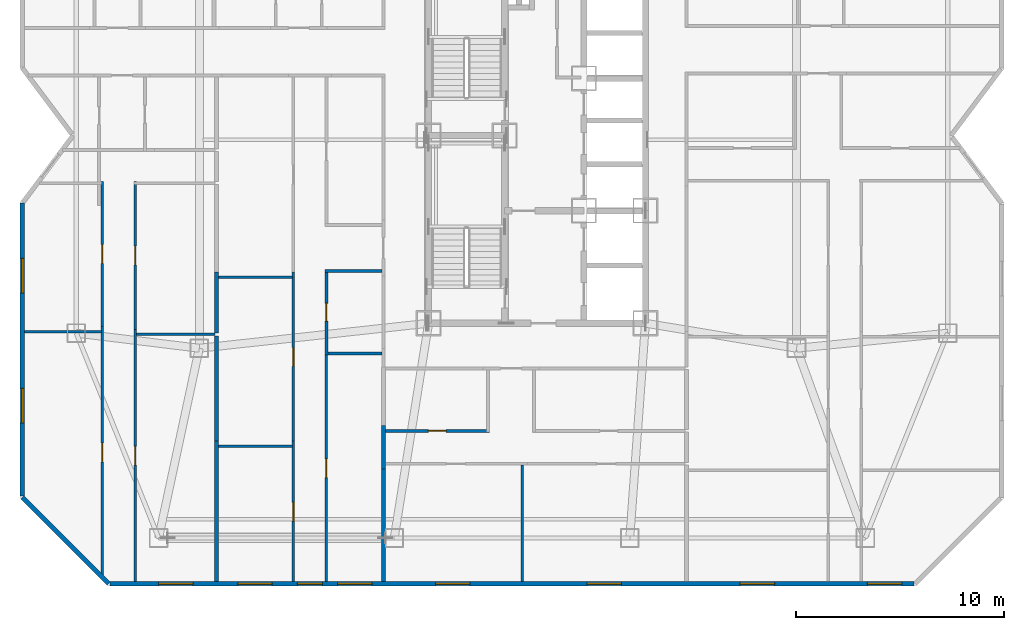
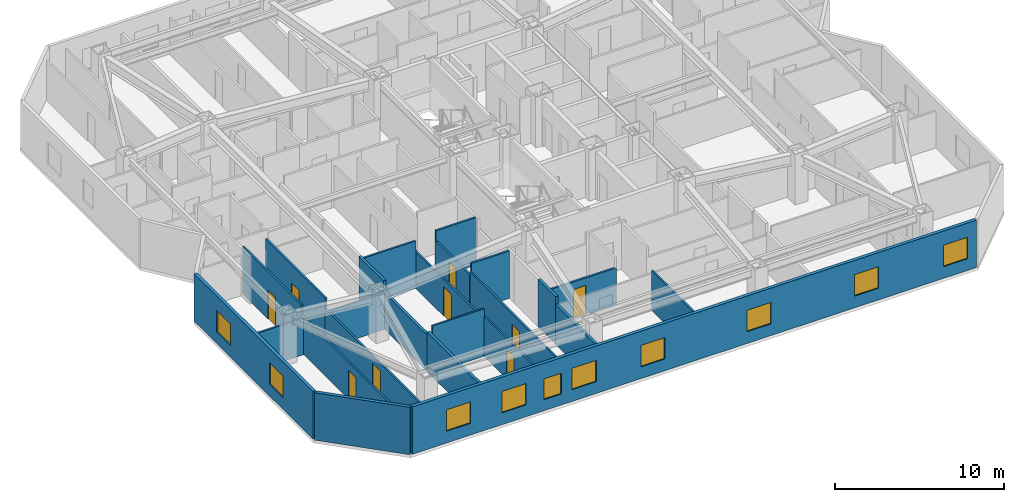
# One storey, part 5 of 12: 24 walls, 10 windows, 9 doors, 19 openings.
"""IFC4 building model written with IfcOpenShell, lengths in metres."""

from ifc_helpers import new_model, si_unit, direction, frame, frame_2d, origin, place, context, subcontext, project, spatial, rectangle, extrude, material, layer, layer_set, type_object, element, fill, save


model = new_model("IFC4")

# Units and contexts
model_context = context("Model", 3, precision=1e-05, world=origin(), true_north=direction((0.0, 1.0)))
body_context = subcontext(model_context, "Body", "Model", "MODEL_VIEW")
ifc_project = project(units=[si_unit("LENGTHUNIT", "METRE"), si_unit("AREAUNIT", "SQUARE_METRE"), si_unit("VOLUMEUNIT", "CUBIC_METRE"), si_unit("PLANEANGLEUNIT", "RADIAN"), si_unit("MASSUNIT", "GRAM", prefix="KILO")], contexts=[model_context])

# Site, building, storey
site_placement = place(None, origin())
site = spatial("IfcSite", under=ifc_project, at=site_placement, CompositionType="ELEMENT")
building_placement = place(site_placement, origin())
building = spatial("IfcBuilding", under=site, at=building_placement, Name="Khamvora Tower", CompositionType="ELEMENT")
storey_placement = place(building_placement, frame((0.0, 0.0, 138.39990234375)))
storey = spatial("IfcBuildingStorey", under=building, at=storey_placement, Name="L35", CompositionType="ELEMENT", Elevation=138.39990234375)

# Walls
ifc_material_1 = material(Name="Acoustic Double-Stud Fire Wall", Category="gypsum")
ifc_layer_1 = layer(ifc_material_1, 0.179931640625)
ifc_layer_set_1 = layer_set([ifc_layer_1], Name="Acoustic Double-Stud Fire Wall")
wall_type_1 = type_object("IfcWallType", Name="WAL-CORR-180", PredefinedType="STANDARD", material=ifc_layer_set_1)
wall_1_placement = place(storey_placement, frame((18.830078125, 13.346923828125, 0.0), z_axis=(0.0, 0.0, 1.0), x_axis=(0.0, -1.0, 0.0)))
element("IfcWall", 1, at=wall_1_placement, inside=storey, type_object=wall_type_1, Name="L35 interior partition wall 056", PredefinedType="STANDARD", context=body_context, shape_type="SweptSolid", body=[
    extrude(rectangle(XDim=6.73486328125, YDim=0.179931640625, at=frame_2d((3.367431640625, 0.0))), origin(), (0.0, 0.0, 1.0), 2.8759765625),
])
wall_2_placement = place(storey_placement, frame((18.830078125, 18.39599609375, 0.0), z_axis=(0.0, 0.0, 1.0), x_axis=(0.0, -1.0, 0.0)))
element("IfcWall", 2, at=wall_2_placement, inside=storey, type_object=wall_type_1, Name="L35 interior partition wall 057", PredefinedType="STANDARD", context=body_context, shape_type="SweptSolid", body=[
    extrude(rectangle(XDim=5.049072265625, YDim=0.179931640625, at=frame_2d((2.5244140625, 0.0))), origin(), (0.0, 0.0, 1.0), 2.647216796875),
])
wall_3_placement = place(storey_placement, frame((18.830078125, 21.450927734375, 0.0), z_axis=(0.0, 0.0, 1.0), x_axis=(0.0, -1.0, 0.0)))
element("IfcWall", 3, at=wall_3_placement, inside=storey, type_object=wall_type_1, Name="L35 interior partition wall 058", PredefinedType="STANDARD", context=body_context, shape_type="SweptSolid", body=[
    extrude(rectangle(XDim=2.925048828125, YDim=0.179931640625, at=frame_2d((1.46240234375, 0.0))), origin(), (0.0, 0.0, 1.0), 3.43017578125),
])
wall_4_placement = place(storey_placement, frame((26.8349609375, 14.0869140625, 0.0), z_axis=(0.0, 0.0, 1.0), x_axis=(0.0, -1.0, 0.0)))
element("IfcWall", 4, at=wall_4_placement, inside=storey, type_object=wall_type_1, Name="L35 interior partition wall 062", PredefinedType="STANDARD", context=body_context, shape_type="SweptSolid", body=[
    extrude(rectangle(XDim=2.077880859375, YDim=0.179931640625, at=frame_2d((1.0390625, 0.0))), origin(), (0.0, 0.0, 1.0), 3.43017578125),
])
wall_5_placement = place(storey_placement, frame((26.8349609375, 12.009033203125, 0.0), z_axis=(0.0, 0.0, 1.0), x_axis=(0.0, -1.0, 0.0)))
element("IfcWall", 5, at=wall_5_placement, inside=storey, type_object=wall_type_1, Name="L35 interior partition wall 064", PredefinedType="STANDARD", context=body_context, shape_type="SweptSolid", body=[
    extrude(rectangle(XDim=5.39697265625, YDim=0.179931640625, at=frame_2d((2.698486328125, 0.0))), origin(), (0.0, 0.0, 1.0), 2.8759765625),
])
ifc_material_2 = material(Name="Precast concrete C40/50", Category="concrete")
ifc_layer_2 = layer(ifc_material_2, 0.219970703125)
ifc_layer_set_2 = layer_set([ifc_layer_2], Name="Precast concrete C40/50")
wall_type_2 = type_object("IfcWallType", Name="WAL-EXT-220", PredefinedType="STANDARD", material=ifc_layer_set_2)
wall_6_placement = place(storey_placement, frame((13.64599609375, 6.510009765625, 0.0), z_axis=(0.0, 0.0, 1.0), x_axis=(-0.707106781187, 0.707106781187, 0.0)))
element("IfcWall", 6, at=wall_6_placement, inside=storey, type_object=wall_type_2, Name="L35 exterior facade wall 01.1", PredefinedType="STANDARD", context=body_context, shape_type="SweptSolid", body=[
    extrude(rectangle(XDim=5.84912109375, YDim=0.219970703125, at=frame_2d((2.924560546875, 0.0))), origin(), (0.0, 0.0, 1.0), 3.43017578125),
])

# Wall, openings, windows
wall_7_placement = place(storey_placement, frame((9.510009765625, 10.717041015625, 0.0), z_axis=(0.0, 0.0, 1.0), x_axis=(0.0, 1.0, 0.0)))
wall_7 = element("IfcWall", 7, at=wall_7_placement, inside=storey, type_object=wall_type_2, Name="L35 exterior facade wall 02.1", PredefinedType="STANDARD", context=body_context, shape_type="SweptSolid", body=[
    extrude(rectangle(XDim=14.0458984375, YDim=0.219970703125, at=frame_2d((7.02294921875, 0.0))), origin(), (0.0, 0.0, 1.0), 3.43017578125),
])
opening_1_placement = place(wall_7_placement, frame((3.507080078125, 0.0, 0.85009765625)))
opening_1 = element("IfcOpeningElement", 8, at=opening_1_placement, cuts=wall_7, Name="Opening WN-06", PredefinedType="OPENING", context=body_context, shape_type="SweptSolid", body=[
    extrude(rectangle(XDim=1.64990234375, YDim=1.550048828125, at=frame_2d((0.824951171875, 0.77490234375))), frame((0.0, 0.119873046875, 0.0), z_axis=(0.0, -1.0, 0.0), x_axis=(1.0, 0.0, 0.0)), (0.0, 0.0, 1.0), 0.239990234375),
])
opening_2_placement = place(wall_7_placement, frame((9.7451171875, 0.0, 0.85009765625)))
opening_2 = element("IfcOpeningElement", 9, at=opening_2_placement, cuts=wall_7, Name="Opening WN-06", PredefinedType="OPENING", context=body_context, shape_type="SweptSolid", body=[
    extrude(rectangle(XDim=1.64990234375, YDim=1.550048828125, at=frame_2d((0.824951171875, 0.77490234375))), frame((0.0, 0.119873046875, 0.0), z_axis=(0.0, -1.0, 0.0), x_axis=(1.0, 0.0, 0.0)), (0.0, 0.0, 1.0), 0.239990234375),
])
ifc_material_3 = material(Name="Low-E Laminated Double Glazing", Category="glass")
window_type_1 = type_object("IfcWindowType", Name="WIN-VIS-1650x1550", PartitioningType="SINGLE_PANEL", PredefinedType="WINDOW", material=ifc_material_3)
window_1_placement = place(opening_1_placement, origin())
window_1 = element("IfcWindow", 10, at=window_1_placement, inside=storey, type_object=window_type_1, Name="L35 vision window 02.1.01", OverallHeight=1.550048828125, OverallWidth=1.64990234375, PartitioningType="SINGLE_PANEL", PredefinedType="WINDOW", context=body_context, shape_type="SweptSolid", body=[
    extrude(rectangle(XDim=1.64990234375, YDim=1.550048828125, at=frame_2d((0.824951171875, 0.77490234375))), frame((0.0, 0.030029296875, 0.0), z_axis=(0.0, -1.0, 0.0), x_axis=(1.0, 0.0, 0.0)), (0.0, 0.0, 1.0), 0.06005859375),
])
fill(opening_1, window_1)
window_2_placement = place(opening_2_placement, origin())
window_2 = element("IfcWindow", 11, at=window_2_placement, inside=storey, type_object=window_type_1, Name="L35 vision window 02.1.02", OverallHeight=1.550048828125, OverallWidth=1.64990234375, PartitioningType="SINGLE_PANEL", PredefinedType="WINDOW", context=body_context, shape_type="SweptSolid", body=[
    extrude(rectangle(XDim=1.64990234375, YDim=1.550048828125, at=frame_2d((0.824951171875, 0.77490234375))), frame((0.0, 0.030029296875, 0.0), z_axis=(0.0, -1.0, 0.0), x_axis=(1.0, 0.0, 0.0)), (0.0, 0.0, 1.0), 0.06005859375),
])
fill(opening_2, window_2)

wall_8_placement = place(storey_placement, frame((52.282958984375, 6.510009765625, 0.0), z_axis=(0.0, 0.0, 1.0), x_axis=(-1.0, 0.0, 0.0)))
wall_8 = element("IfcWall", 12, at=wall_8_placement, inside=storey, type_object=wall_type_2, Name="L35 exterior facade wall 14.1", PredefinedType="STANDARD", context=body_context, shape_type="SweptSolid", body=[
    extrude(rectangle(XDim=38.56787109375, YDim=0.219970703125, at=frame_2d((19.283935546875, 0.0))), origin(), (0.0, 0.0, 1.0), 3.43017578125),
])
opening_3_placement = place(wall_8_placement, frame((34.5810546875, 0.0, 0.85009765625)))
opening_3 = element("IfcOpeningElement", 13, at=opening_3_placement, cuts=wall_8, Name="Opening WN-06", PredefinedType="OPENING", context=body_context, shape_type="SweptSolid", body=[
    extrude(rectangle(XDim=1.64990234375, YDim=1.550048828125, at=frame_2d((0.824951171875, 0.77490234375))), frame((0.0, 0.119873046875, 0.0), z_axis=(0.0, -1.0, 0.0), x_axis=(1.0, 0.0, 0.0)), (0.0, 0.0, 1.0), 0.239990234375),
])
opening_4_placement = place(wall_8_placement, frame((25.991943359375, 0.0, 0.85009765625)))
opening_4 = element("IfcOpeningElement", 14, at=opening_4_placement, cuts=wall_8, Name="Opening WN-06", PredefinedType="OPENING", context=body_context, shape_type="SweptSolid", body=[
    extrude(rectangle(XDim=1.64990234375, YDim=1.550048828125, at=frame_2d((0.824951171875, 0.77490234375))), frame((0.0, 0.119873046875, 0.0), z_axis=(0.0, -1.0, 0.0), x_axis=(1.0, 0.0, 0.0)), (0.0, 0.0, 1.0), 0.239990234375),
])
opening_5_placement = place(wall_8_placement, frame((28.375, 0.0, 0.800048828125)))
opening_5 = element("IfcOpeningElement", 15, at=opening_5_placement, cuts=wall_8, Name="Opening WN-03", PredefinedType="OPENING", context=body_context, shape_type="SweptSolid", body=[
    extrude(rectangle(XDim=1.199951171875, YDim=1.5, at=frame_2d((0.60009765625, 0.75))), frame((0.0, 0.119873046875, 0.0), z_axis=(0.0, -1.0, 0.0), x_axis=(1.0, 0.0, 0.0)), (0.0, 0.0, 1.0), 0.239990234375),
])
opening_6_placement = place(wall_8_placement, frame((30.783935546875, 0.0, 0.85009765625)))
opening_6 = element("IfcOpeningElement", 16, at=opening_6_placement, cuts=wall_8, Name="Opening WN-06", PredefinedType="OPENING", context=body_context, shape_type="SweptSolid", body=[
    extrude(rectangle(XDim=1.64990234375, YDim=1.550048828125, at=frame_2d((0.824951171875, 0.77490234375))), frame((0.0, 0.119873046875, 0.0), z_axis=(0.0, -1.0, 0.0), x_axis=(1.0, 0.0, 0.0)), (0.0, 0.0, 1.0), 0.239990234375),
])
opening_7_placement = place(wall_8_placement, frame((21.298095703125, 0.0, 0.85009765625)))
opening_7 = element("IfcOpeningElement", 17, at=opening_7_placement, cuts=wall_8, Name="Opening WN-06", PredefinedType="OPENING", context=body_context, shape_type="SweptSolid", body=[
    extrude(rectangle(XDim=1.64990234375, YDim=1.550048828125, at=frame_2d((0.824951171875, 0.77490234375))), frame((0.0, 0.119873046875, 0.0), z_axis=(0.0, -1.0, 0.0), x_axis=(1.0, 0.0, 0.0)), (0.0, 0.0, 1.0), 0.239990234375),
])
opening_8_placement = place(wall_8_placement, frame((14.032958984375, 0.0, 0.85009765625)))
opening_8 = element("IfcOpeningElement", 18, at=opening_8_placement, cuts=wall_8, Name="Opening WN-06", PredefinedType="OPENING", context=body_context, shape_type="SweptSolid", body=[
    extrude(rectangle(XDim=1.64990234375, YDim=1.550048828125, at=frame_2d((0.824951171875, 0.77490234375))), frame((0.0, 0.119873046875, 0.0), z_axis=(0.0, -1.0, 0.0), x_axis=(1.0, 0.0, 0.0)), (0.0, 0.0, 1.0), 0.239990234375),
])
opening_9_placement = place(wall_8_placement, frame((6.68798828125, 0.0, 0.85009765625)))
opening_9 = element("IfcOpeningElement", 19, at=opening_9_placement, cuts=wall_8, Name="Opening WN-06", PredefinedType="OPENING", context=body_context, shape_type="SweptSolid", body=[
    extrude(rectangle(XDim=1.64990234375, YDim=1.550048828125, at=frame_2d((0.824951171875, 0.77490234375))), frame((0.0, 0.119873046875, 0.0), z_axis=(0.0, -1.0, 0.0), x_axis=(1.0, 0.0, 0.0)), (0.0, 0.0, 1.0), 0.239990234375),
])
opening_10_placement = place(wall_8_placement, frame((0.5869140625, 0.0, 0.85009765625)))
opening_10 = element("IfcOpeningElement", 20, at=opening_10_placement, cuts=wall_8, Name="Opening WN-06", PredefinedType="OPENING", context=body_context, shape_type="SweptSolid", body=[
    extrude(rectangle(XDim=1.64990234375, YDim=1.550048828125, at=frame_2d((0.824951171875, 0.77490234375))), frame((0.0, 0.119873046875, 0.0), z_axis=(0.0, -1.0, 0.0), x_axis=(1.0, 0.0, 0.0)), (0.0, 0.0, 1.0), 0.239990234375),
])
window_type_2 = type_object("IfcWindowType", Name="WIN-VIS-1200x1500", PartitioningType="SINGLE_PANEL", PredefinedType="WINDOW", material=ifc_material_3)
window_3_placement = place(opening_5_placement, origin())
window_3 = element("IfcWindow", 21, at=window_3_placement, inside=storey, type_object=window_type_2, Name="L35 vision window 14.1.03", OverallHeight=1.5, OverallWidth=1.199951171875, PartitioningType="SINGLE_PANEL", PredefinedType="WINDOW", context=body_context, shape_type="SweptSolid", body=[
    extrude(rectangle(XDim=1.199951171875, YDim=1.5, at=frame_2d((0.60009765625, 0.75))), frame((0.0, 0.030029296875, 0.0), z_axis=(0.0, -1.0, 0.0), x_axis=(1.0, 0.0, 0.0)), (0.0, 0.0, 1.0), 0.06005859375),
])
fill(opening_5, window_3)
window_4_placement = place(opening_3_placement, origin())
window_4 = element("IfcWindow", 22, at=window_4_placement, inside=storey, type_object=window_type_1, Name="L35 vision window 14.1.01", OverallHeight=1.550048828125, OverallWidth=1.64990234375, PartitioningType="SINGLE_PANEL", PredefinedType="WINDOW", context=body_context, shape_type="SweptSolid", body=[
    extrude(rectangle(XDim=1.64990234375, YDim=1.550048828125, at=frame_2d((0.824951171875, 0.77490234375))), frame((0.0, 0.030029296875, 0.0), z_axis=(0.0, -1.0, 0.0), x_axis=(1.0, 0.0, 0.0)), (0.0, 0.0, 1.0), 0.06005859375),
])
fill(opening_3, window_4)
window_5_placement = place(opening_4_placement, origin())
window_5 = element("IfcWindow", 23, at=window_5_placement, inside=storey, type_object=window_type_1, Name="L35 vision window 14.1.02", OverallHeight=1.550048828125, OverallWidth=1.64990234375, PartitioningType="SINGLE_PANEL", PredefinedType="WINDOW", context=body_context, shape_type="SweptSolid", body=[
    extrude(rectangle(XDim=1.64990234375, YDim=1.550048828125, at=frame_2d((0.824951171875, 0.77490234375))), frame((0.0, 0.030029296875, 0.0), z_axis=(0.0, -1.0, 0.0), x_axis=(1.0, 0.0, 0.0)), (0.0, 0.0, 1.0), 0.06005859375),
])
fill(opening_4, window_5)
window_6_placement = place(opening_6_placement, origin())
window_6 = element("IfcWindow", 24, at=window_6_placement, inside=storey, type_object=window_type_1, Name="L35 vision window 14.1.04", OverallHeight=1.550048828125, OverallWidth=1.64990234375, PartitioningType="SINGLE_PANEL", PredefinedType="WINDOW", context=body_context, shape_type="SweptSolid", body=[
    extrude(rectangle(XDim=1.64990234375, YDim=1.550048828125, at=frame_2d((0.824951171875, 0.77490234375))), frame((0.0, 0.030029296875, 0.0), z_axis=(0.0, -1.0, 0.0), x_axis=(1.0, 0.0, 0.0)), (0.0, 0.0, 1.0), 0.06005859375),
])
fill(opening_6, window_6)
window_7_placement = place(opening_7_placement, origin())
window_7 = element("IfcWindow", 25, at=window_7_placement, inside=storey, type_object=window_type_1, Name="L35 vision window 14.1.05", OverallHeight=1.550048828125, OverallWidth=1.64990234375, PartitioningType="SINGLE_PANEL", PredefinedType="WINDOW", context=body_context, shape_type="SweptSolid", body=[
    extrude(rectangle(XDim=1.64990234375, YDim=1.550048828125, at=frame_2d((0.824951171875, 0.77490234375))), frame((0.0, 0.030029296875, 0.0), z_axis=(0.0, -1.0, 0.0), x_axis=(1.0, 0.0, 0.0)), (0.0, 0.0, 1.0), 0.06005859375),
])
fill(opening_7, window_7)
window_8_placement = place(opening_8_placement, origin())
window_8 = element("IfcWindow", 26, at=window_8_placement, inside=storey, type_object=window_type_1, Name="L35 vision window 14.1.06", OverallHeight=1.550048828125, OverallWidth=1.64990234375, PartitioningType="SINGLE_PANEL", PredefinedType="WINDOW", context=body_context, shape_type="SweptSolid", body=[
    extrude(rectangle(XDim=1.64990234375, YDim=1.550048828125, at=frame_2d((0.824951171875, 0.77490234375))), frame((0.0, 0.030029296875, 0.0), z_axis=(0.0, -1.0, 0.0), x_axis=(1.0, 0.0, 0.0)), (0.0, 0.0, 1.0), 0.06005859375),
])
fill(opening_8, window_8)
window_9_placement = place(opening_9_placement, origin())
window_9 = element("IfcWindow", 27, at=window_9_placement, inside=storey, type_object=window_type_1, Name="L35 vision window 14.1.07", OverallHeight=1.550048828125, OverallWidth=1.64990234375, PartitioningType="SINGLE_PANEL", PredefinedType="WINDOW", context=body_context, shape_type="SweptSolid", body=[
    extrude(rectangle(XDim=1.64990234375, YDim=1.550048828125, at=frame_2d((0.824951171875, 0.77490234375))), frame((0.0, 0.030029296875, 0.0), z_axis=(0.0, -1.0, 0.0), x_axis=(1.0, 0.0, 0.0)), (0.0, 0.0, 1.0), 0.06005859375),
])
fill(opening_9, window_9)
window_10_placement = place(opening_10_placement, origin())
window_10 = element("IfcWindow", 28, at=window_10_placement, inside=storey, type_object=window_type_1, Name="L35 vision window 14.1.08", OverallHeight=1.550048828125, OverallWidth=1.64990234375, PartitioningType="SINGLE_PANEL", PredefinedType="WINDOW", context=body_context, shape_type="SweptSolid", body=[
    extrude(rectangle(XDim=1.64990234375, YDim=1.550048828125, at=frame_2d((0.824951171875, 0.77490234375))), frame((0.0, 0.030029296875, 0.0), z_axis=(0.0, -1.0, 0.0), x_axis=(1.0, 0.0, 0.0)), (0.0, 0.0, 1.0), 0.06005859375),
])
fill(opening_10, window_10)

# Wall, opening, door
ifc_material_4 = material(Name="Gypsum Plasterboard Partition", Category="gypsum")
ifc_layer_3 = layer(ifc_material_4, 0.1201171875)
ifc_layer_set_3 = layer_set([ifc_layer_3], Name="Gypsum Plasterboard Partition")
wall_type_3 = type_object("IfcWallType", Name="WAL-PART-120", PredefinedType="PARTITIONING", material=ifc_layer_set_3)
wall_9_placement = place(storey_placement, frame((13.35302734375, 6.7939453125, 0.0), z_axis=(0.0, 0.0, 1.0), x_axis=(0.0, 1.0, 0.0)))
wall_9 = element("IfcWall", 29, at=wall_9_placement, inside=storey, type_object=wall_type_3, Name="L35 interior partition wall 046", PredefinedType="PARTITIONING", context=body_context, shape_type="SweptSolid", body=[
    extrude(rectangle(XDim=12.050048828125, YDim=0.1201171875, at=frame_2d((6.02490234375, 0.0))), origin(), (0.0, 0.0, 1.0), 2.647216796875),
])
opening_11_placement = place(wall_9_placement, frame((5.553955078125, 0.0, 0.0)))
opening_11 = element("IfcOpeningElement", 30, at=opening_11_placement, cuts=wall_9, Name="Opening D-RM1", PredefinedType="OPENING", context=body_context, shape_type="SweptSolid", body=[
    extrude(rectangle(XDim=0.89990234375, YDim=2.10009765625, at=frame_2d((0.449951171875, 1.050048828125))), frame((0.0, 0.070068359375, 0.0), z_axis=(0.0, -1.0, 0.0), x_axis=(1.0, 0.0, 0.0)), (0.0, 0.0, 1.0), 0.14013671875),
])
ifc_material_5 = material(Name="Powder-Coated Steel and Hardwood Leaf", Category="steel")
door_type_1 = type_object("IfcDoorType", Name="DOR-ROOM-900", OperationType="NOTDEFINED", PredefinedType="DOOR", material=ifc_material_5)
door_1_placement = place(opening_11_placement, origin())
door_1 = element("IfcDoor", 31, at=door_1_placement, inside=storey, type_object=door_type_1, Name="L35 interior door 35WA1H-35WA1R1", OperationType="SINGLE_SWING_LEFT", OverallHeight=2.10009765625, OverallWidth=0.89990234375, PredefinedType="DOOR", context=body_context, shape_type="SweptSolid", body=[
    extrude(rectangle(XDim=0.89990234375, YDim=2.10009765625, at=frame_2d((0.449951171875, 1.050048828125))), frame((0.0, 0.02490234375, 0.0), z_axis=(0.0, -1.0, 0.0), x_axis=(1.0, 0.0, 0.0)), (0.0, 0.0, 1.0), 0.050048828125),
])
fill(opening_11, door_1)

wall_10_placement = place(storey_placement, frame((13.35302734375, 18.843994140625, 0.0), z_axis=(0.0, 0.0, 1.0), x_axis=(0.0, 1.0, 0.0)))
wall_10 = element("IfcWall", 32, at=wall_10_placement, inside=storey, type_object=wall_type_3, Name="L35 interior partition wall 047", PredefinedType="PARTITIONING", context=body_context, shape_type="SweptSolid", body=[
    extrude(rectangle(XDim=6.946044921875, YDim=0.1201171875, at=frame_2d((3.47314453125, 0.0))), origin(), (0.0, 0.0, 1.0), 3.43017578125),
])
opening_12_placement = place(wall_10_placement, frame((3.02294921875, 0.0, 0.0)))
opening_12 = element("IfcOpeningElement", 33, at=opening_12_placement, cuts=wall_10, Name="Opening D-RM1", PredefinedType="OPENING", context=body_context, shape_type="SweptSolid", body=[
    extrude(rectangle(XDim=0.89990234375, YDim=2.10009765625, at=frame_2d((0.449951171875, 1.050048828125))), frame((0.0, 0.070068359375, 0.0), z_axis=(0.0, -1.0, 0.0), x_axis=(1.0, 0.0, 0.0)), (0.0, 0.0, 1.0), 0.14013671875),
])
door_2_placement = place(opening_12_placement, origin())
door_2 = element("IfcDoor", 34, at=door_2_placement, inside=storey, type_object=door_type_1, Name="L35 interior door 35WA1H-35WA1R2", OperationType="SINGLE_SWING_RIGHT", OverallHeight=2.10009765625, OverallWidth=0.89990234375, PredefinedType="DOOR", context=body_context, shape_type="SweptSolid", body=[
    extrude(rectangle(XDim=0.89990234375, YDim=2.10009765625, at=frame_2d((0.449951171875, 1.050048828125))), frame((0.0, 0.02490234375, 0.0), z_axis=(0.0, -1.0, 0.0), x_axis=(1.0, 0.0, 0.0)), (0.0, 0.0, 1.0), 0.050048828125),
])
fill(opening_12, door_2)

wall_11_placement = place(storey_placement, frame((14.923095703125, 18.7099609375, 0.0), z_axis=(0.0, 0.0, 1.0), x_axis=(0.0, -1.0, 0.0)))
wall_11 = element("IfcWall", 35, at=wall_11_placement, inside=storey, type_object=wall_type_3, Name="L35 interior partition wall 049", PredefinedType="PARTITIONING", context=body_context, shape_type="SweptSolid", body=[
    extrude(rectangle(XDim=12.097900390625, YDim=0.1201171875, at=frame_2d((6.048828125, 0.0))), origin(), (0.0, 0.0, 1.0), 2.647216796875),
])
opening_13_placement = place(wall_11_placement, frame((5.6201171875, 0.0, 0.0)))
opening_13 = element("IfcOpeningElement", 36, at=opening_13_placement, cuts=wall_11, Name="Opening D-RM1", PredefinedType="OPENING", context=body_context, shape_type="SweptSolid", body=[
    extrude(rectangle(XDim=0.89990234375, YDim=2.10009765625, at=frame_2d((0.449951171875, 1.050048828125))), frame((0.0, 0.070068359375, 0.0), z_axis=(0.0, -1.0, 0.0), x_axis=(1.0, 0.0, 0.0)), (0.0, 0.0, 1.0), 0.14013671875),
])
door_3_placement = place(opening_13_placement, origin())
door_3 = element("IfcDoor", 37, at=door_3_placement, inside=storey, type_object=door_type_1, Name="L35 interior door 35WA1H-35WA1R3", OperationType="SINGLE_SWING_LEFT", OverallHeight=2.10009765625, OverallWidth=0.89990234375, PredefinedType="DOOR", context=body_context, shape_type="SweptSolid", body=[
    extrude(rectangle(XDim=0.89990234375, YDim=2.10009765625, at=frame_2d((0.449951171875, 1.050048828125))), frame((0.0, 0.02490234375, 0.0), z_axis=(0.0, -1.0, 0.0), x_axis=(1.0, 0.0, 0.0)), (0.0, 0.0, 1.0), 0.050048828125),
])
fill(opening_13, door_3)

wall_12_placement = place(storey_placement, frame((14.923095703125, 25.7900390625, 0.0), z_axis=(0.0, 0.0, 1.0), x_axis=(0.0, -1.0, 0.0)))
wall_12 = element("IfcWall", 38, at=wall_12_placement, inside=storey, type_object=wall_type_3, Name="L35 interior partition wall 051", PredefinedType="PARTITIONING", context=body_context, shape_type="SweptSolid", body=[
    extrude(rectangle(XDim=7.080078125, YDim=0.1201171875, at=frame_2d((3.5400390625, 0.0))), origin(), (0.0, 0.0, 1.0), 3.43017578125),
])
opening_14_placement = place(wall_12_placement, frame((3.090087890625, 0.0, 0.0)))
opening_14 = element("IfcOpeningElement", 39, at=opening_14_placement, cuts=wall_12, Name="Opening D-RM1", PredefinedType="OPENING", context=body_context, shape_type="SweptSolid", body=[
    extrude(rectangle(XDim=0.89990234375, YDim=2.10009765625, at=frame_2d((0.449951171875, 1.050048828125))), frame((0.0, 0.070068359375, 0.0), z_axis=(0.0, -1.0, 0.0), x_axis=(1.0, 0.0, 0.0)), (0.0, 0.0, 1.0), 0.14013671875),
])
door_4_placement = place(opening_14_placement, origin())
door_4 = element("IfcDoor", 40, at=door_4_placement, inside=storey, type_object=door_type_1, Name="L35 interior door 35WA1H-35WA1R4", OperationType="SINGLE_SWING_RIGHT", OverallHeight=2.10009765625, OverallWidth=0.89990234375, PredefinedType="DOOR", context=body_context, shape_type="SweptSolid", body=[
    extrude(rectangle(XDim=0.89990234375, YDim=2.10009765625, at=frame_2d((0.449951171875, 1.050048828125))), frame((0.0, 0.02490234375, 0.0), z_axis=(0.0, -1.0, 0.0), x_axis=(1.0, 0.0, 0.0)), (0.0, 0.0, 1.0), 0.050048828125),
])
fill(opening_14, door_4)

# Walls
wall_13_placement = place(storey_placement, frame((9.612060546875, 18.594970703125, 0.0), z_axis=(0.0, 0.0, 1.0), x_axis=(1.0, 0.0, 0.0)))
element("IfcWall", 41, at=wall_13_placement, inside=storey, type_object=wall_type_3, Name="L35 interior partition wall 054", PredefinedType="PARTITIONING", context=body_context, shape_type="SweptSolid", body=[
    extrude(rectangle(XDim=3.68701171875, YDim=0.1201171875, at=frame_2d((1.843505859375, 0.0))), origin(), (0.0, 0.0, 1.0), 2.647216796875),
])
wall_14_placement = place(storey_placement, frame((14.97705078125, 18.4609375, 0.0), z_axis=(0.0, 0.0, 1.0), x_axis=(1.0, 0.0, 0.0)))
element("IfcWall", 42, at=wall_14_placement, inside=storey, type_object=wall_type_3, Name="L35 interior partition wall 055", PredefinedType="PARTITIONING", context=body_context, shape_type="SweptSolid", body=[
    extrude(rectangle(XDim=3.787841796875, YDim=0.1201171875, at=frame_2d((1.89404296875, 0.0))), origin(), (0.0, 0.0, 1.0), 2.647216796875),
])

# Wall, opening, door
wall_15_placement = place(storey_placement, frame((24.097900390625, 6.612060546875, 0.0), z_axis=(0.0, 0.0, 1.0), x_axis=(0.0, 1.0, 0.0)))
wall_15 = element("IfcWall", 43, at=wall_15_placement, inside=storey, type_object=wall_type_3, Name="L35 interior partition wall 060", PredefinedType="PARTITIONING", context=body_context, shape_type="SweptSolid", body=[
    extrude(rectangle(XDim=10.866943359375, YDim=0.1201171875, at=frame_2d((5.43359375, 0.0))), origin(), (0.0, 0.0, 1.0), 2.8759765625),
])
opening_15_placement = place(wall_15_placement, frame((4.98388671875, 0.0, 0.0)))
opening_15 = element("IfcOpeningElement", 44, at=opening_15_placement, cuts=wall_15, Name="Opening D-RM1", PredefinedType="OPENING", context=body_context, shape_type="SweptSolid", body=[
    extrude(rectangle(XDim=0.89990234375, YDim=2.10009765625, at=frame_2d((0.449951171875, 1.050048828125))), frame((0.0, 0.070068359375, 0.0), z_axis=(0.0, -1.0, 0.0), x_axis=(1.0, 0.0, 0.0)), (0.0, 0.0, 1.0), 0.14013671875),
])
door_5_placement = place(opening_15_placement, origin())
door_5 = element("IfcDoor", 45, at=door_5_placement, inside=storey, type_object=door_type_1, Name="L35 interior door 35WA2W1-35WA2H", OperationType="SINGLE_SWING_LEFT", OverallHeight=2.10009765625, OverallWidth=0.89990234375, PredefinedType="DOOR", context=body_context, shape_type="SweptSolid", body=[
    extrude(rectangle(XDim=0.89990234375, YDim=2.10009765625, at=frame_2d((0.449951171875, 1.050048828125))), frame((0.0, 0.02490234375, 0.0), z_axis=(0.0, -1.0, 0.0), x_axis=(1.0, 0.0, 0.0)), (0.0, 0.0, 1.0), 0.050048828125),
])
fill(opening_15, door_5)

wall_16_placement = place(storey_placement, frame((22.51806640625, 6.612060546875, 0.0), z_axis=(0.0, 0.0, 1.0), x_axis=(0.0, 1.0, 0.0)))
wall_16 = element("IfcWall", 46, at=wall_16_placement, inside=storey, type_object=wall_type_3, Name="L35 interior partition wall 069", PredefinedType="PARTITIONING", context=body_context, shape_type="SweptSolid", body=[
    extrude(rectangle(XDim=6.73486328125, YDim=0.1201171875, at=frame_2d((3.367431640625, 0.0))), origin(), (0.0, 0.0, 1.0), 2.8759765625),
])
opening_16_placement = place(wall_16_placement, frame((2.89599609375, 0.0, 0.0)))
opening_16 = element("IfcOpeningElement", 47, at=opening_16_placement, cuts=wall_16, Name="Opening D-RM1", PredefinedType="OPENING", context=body_context, shape_type="SweptSolid", body=[
    extrude(rectangle(XDim=0.89990234375, YDim=2.10009765625, at=frame_2d((0.449951171875, 1.050048828125))), frame((0.0, 0.070068359375, 0.0), z_axis=(0.0, -1.0, 0.0), x_axis=(1.0, 0.0, 0.0)), (0.0, 0.0, 1.0), 0.14013671875),
])
door_6_placement = place(opening_16_placement, origin())
door_6 = element("IfcDoor", 48, at=door_6_placement, inside=storey, type_object=door_type_1, Name="L35 interior door 35WA2H-35WA2L", OperationType="SINGLE_SWING_RIGHT", OverallHeight=2.10009765625, OverallWidth=0.89990234375, PredefinedType="DOOR", context=body_context, shape_type="SweptSolid", body=[
    extrude(rectangle(XDim=0.89990234375, YDim=2.10009765625, at=frame_2d((0.449951171875, 1.050048828125))), frame((0.0, 0.02490234375, 0.0), z_axis=(0.0, -1.0, 0.0), x_axis=(1.0, 0.0, 0.0)), (0.0, 0.0, 1.0), 0.050048828125),
])
fill(opening_16, door_6)

wall_17_placement = place(storey_placement, frame((22.51806640625, 13.346923828125, 0.0), z_axis=(0.0, 0.0, 1.0), x_axis=(0.0, 1.0, 0.0)))
wall_17 = element("IfcWall", 49, at=wall_17_placement, inside=storey, type_object=wall_type_3, Name="L35 interior partition wall 070", PredefinedType="PARTITIONING", context=body_context, shape_type="SweptSolid", body=[
    extrude(rectangle(XDim=8.10400390625, YDim=0.1201171875, at=frame_2d((4.052001953125, 0.0))), origin(), (0.0, 0.0, 1.0), 2.647216796875),
])
opening_17_placement = place(wall_17_placement, frame((3.580078125, 0.0, 0.0)))
opening_17 = element("IfcOpeningElement", 50, at=opening_17_placement, cuts=wall_17, Name="Opening D-RM1", PredefinedType="OPENING", context=body_context, shape_type="SweptSolid", body=[
    extrude(rectangle(XDim=0.89990234375, YDim=2.10009765625, at=frame_2d((0.449951171875, 1.050048828125))), frame((0.0, 0.070068359375, 0.0), z_axis=(0.0, -1.0, 0.0), x_axis=(1.0, 0.0, 0.0)), (0.0, 0.0, 1.0), 0.14013671875),
])
door_7_placement = place(opening_17_placement, origin())
door_7 = element("IfcDoor", 51, at=door_7_placement, inside=storey, type_object=door_type_1, Name="L35 interior door 35WA2H-35WA2R2", OperationType="SINGLE_SWING_LEFT", OverallHeight=2.10009765625, OverallWidth=0.89990234375, PredefinedType="DOOR", context=body_context, shape_type="SweptSolid", body=[
    extrude(rectangle(XDim=0.89990234375, YDim=2.10009765625, at=frame_2d((0.449951171875, 1.050048828125))), frame((0.0, 0.02490234375, 0.0), z_axis=(0.0, -1.0, 0.0), x_axis=(1.0, 0.0, 0.0)), (0.0, 0.0, 1.0), 0.050048828125),
])
fill(opening_17, door_7)

# Walls
for number, where, z_axis, x_axis, name in (
    (52, (18.912109375, 13.097900390625, 0.0), (0.0, 0.0, 1.0), (1.0, 0.0, 0.0), "L35 interior partition wall 072"),
    (53, (18.912109375, 21.200927734375, 0.0), (0.0, 0.0, 1.0), (1.0, 0.0, 0.0), "L35 interior partition wall 073"),
):
    element("IfcWall", number, at=place(storey_placement, frame(where, z_axis=z_axis, x_axis=x_axis)), inside=storey, type_object=wall_type_3, Name=name, PredefinedType="PARTITIONING", context=body_context, shape_type="SweptSolid", body=[
        extrude(rectangle(XDim=3.552001953125, YDim=0.1201171875, at=frame_2d((1.77587890625, 0.0))), origin(), (0.0, 0.0, 1.0), 3.43017578125),
    ])
wall_18_placement = place(storey_placement, frame((33.48388671875, 12.2041015625, 0.0), z_axis=(0.0, 0.0, 1.0), x_axis=(0.0, -1.0, 0.0)))
element("IfcWall", 54, at=wall_18_placement, inside=storey, type_object=wall_type_3, Name="L35 interior partition wall 105", PredefinedType="PARTITIONING", context=body_context, shape_type="SweptSolid", body=[
    extrude(rectangle(XDim=5.592041015625, YDim=0.1201171875, at=frame_2d((2.7958984375, 0.0))), origin(), (0.0, 0.0, 1.0), 2.8759765625),
])
ifc_material_6 = material(Name="Moisture-Resistant Plasterboard Partition", Category="gypsum")
ifc_layer_4 = layer(ifc_material_6, 0.135009765625)
ifc_layer_set_4 = layer_set([ifc_layer_4], Name="Moisture-Resistant Plasterboard Partition")
wall_type_4 = type_object("IfcWallType", Name="WAL-WET-135", PredefinedType="PARTITIONING", material=ifc_layer_set_4)
wall_19_placement = place(storey_placement, frame((24.1630859375, 17.5439453125, 0.0), z_axis=(0.0, 0.0, 1.0), x_axis=(1.0, 0.0, 0.0)))
element("IfcWall", 55, at=wall_19_placement, inside=storey, type_object=wall_type_4, Name="L35 interior partition wall 061", PredefinedType="PARTITIONING", context=body_context, shape_type="SweptSolid", body=[
    extrude(rectangle(XDim=2.60693359375, YDim=0.135009765625, at=frame_2d((1.303466796875, 0.0))), origin(), (0.0, 0.0, 1.0), 3.43017578125),
])
wall_20_placement = place(storey_placement, frame((26.77001953125, 21.509033203125, 0.0), z_axis=(0.0, 0.0, 1.0), x_axis=(-1.0, 0.0, 0.0)))
element("IfcWall", 56, at=wall_20_placement, inside=storey, type_object=wall_type_4, Name="L35 interior partition wall 065", PredefinedType="PARTITIONING", context=body_context, shape_type="SweptSolid", body=[
    extrude(rectangle(XDim=2.737060546875, YDim=0.135009765625, at=frame_2d((1.36865234375, 0.0))), origin(), (0.0, 0.0, 1.0), 3.43017578125),
])

# Wall, opening, door
wall_21_placement = place(storey_placement, frame((24.097900390625, 21.573974609375, 0.0), z_axis=(0.0, 0.0, 1.0), x_axis=(0.0, -1.0, 0.0)))
wall_21 = element("IfcWall", 57, at=wall_21_placement, inside=storey, type_object=wall_type_4, Name="L35 interior partition wall 066", PredefinedType="PARTITIONING", context=body_context, shape_type="SweptSolid", body=[
    extrude(rectangle(XDim=4.094970703125, YDim=0.135009765625, at=frame_2d((2.04736328125, 0.0))), origin(), (0.0, 0.0, 1.0), 2.647216796875),
])
opening_18_placement = place(wall_21_placement, frame((1.6220703125, 0.0, 0.0)))
opening_18 = element("IfcOpeningElement", 58, at=opening_18_placement, cuts=wall_21, Name="Opening D-WC1", PredefinedType="OPENING", context=body_context, shape_type="SweptSolid", body=[
    extrude(rectangle(XDim=0.85009765625, YDim=2.10009765625, at=frame_2d((0.425048828125, 1.050048828125))), frame((0.0, 0.077392578125, 0.0), z_axis=(0.0, -1.0, 0.0), x_axis=(1.0, 0.0, 0.0)), (0.0, 0.0, 1.0), 0.155029296875),
])
door_type_2 = type_object("IfcDoorType", Name="DOR-WET-850", OperationType="NOTDEFINED", PredefinedType="DOOR", material=ifc_material_5)
door_8_placement = place(opening_18_placement, origin())
door_8 = element("IfcDoor", 59, at=door_8_placement, inside=storey, type_object=door_type_2, Name="L35 interior door 35WA2H-35WA2B", OperationType="SINGLE_SWING_RIGHT", OverallHeight=2.10009765625, OverallWidth=0.85009765625, PredefinedType="DOOR", context=body_context, shape_type="SweptSolid", body=[
    extrude(rectangle(XDim=0.85009765625, YDim=2.10009765625, at=frame_2d((0.425048828125, 1.050048828125))), frame((0.0, 0.02490234375, 0.0), z_axis=(0.0, -1.0, 0.0), x_axis=(1.0, 0.0, 0.0)), (0.0, 0.0, 1.0), 0.050048828125),
])
fill(opening_18, door_8)

wall_22_placement = place(storey_placement, frame((26.9169921875, 13.837890625, 0.0), z_axis=(0.0, 0.0, 1.0), x_axis=(1.0, 0.0, 0.0)))
wall_22 = element("IfcWall", 60, at=wall_22_placement, inside=storey, type_object=wall_type_4, Name="L35 interior partition wall 097", PredefinedType="PARTITIONING", context=body_context, shape_type="SweptSolid", body=[
    extrude(rectangle(XDim=4.998046875, YDim=0.135009765625, at=frame_2d((2.4990234375, 0.0))), origin(), (0.0, 0.0, 1.0), 2.647216796875),
])
opening_19_placement = place(wall_22_placement, frame((2.073974609375, 0.0, 0.0)))
opening_19 = element("IfcOpeningElement", 61, at=opening_19_placement, cuts=wall_22, Name="Opening D-WC1", PredefinedType="OPENING", context=body_context, shape_type="SweptSolid", body=[
    extrude(rectangle(XDim=0.85009765625, YDim=2.10009765625, at=frame_2d((0.425048828125, 1.050048828125))), frame((0.0, 0.077392578125, 0.0), z_axis=(0.0, -1.0, 0.0), x_axis=(1.0, 0.0, 0.0)), (0.0, 0.0, 1.0), 0.155029296875),
])
door_9_placement = place(opening_19_placement, origin())
door_9 = element("IfcDoor", 62, at=door_9_placement, inside=storey, type_object=door_type_2, Name="L35 interior door 35SAH-35SAB", OperationType="SINGLE_SWING_LEFT", OverallHeight=2.10009765625, OverallWidth=0.85009765625, PredefinedType="DOOR", context=body_context, shape_type="SweptSolid", body=[
    extrude(rectangle(XDim=0.85009765625, YDim=2.10009765625, at=frame_2d((0.425048828125, 1.050048828125))), frame((0.0, 0.02490234375, 0.0), z_axis=(0.0, -1.0, 0.0), x_axis=(1.0, 0.0, 0.0)), (0.0, 0.0, 1.0), 0.050048828125),
])
fill(opening_19, door_9)

save(model, "model.ifc")
